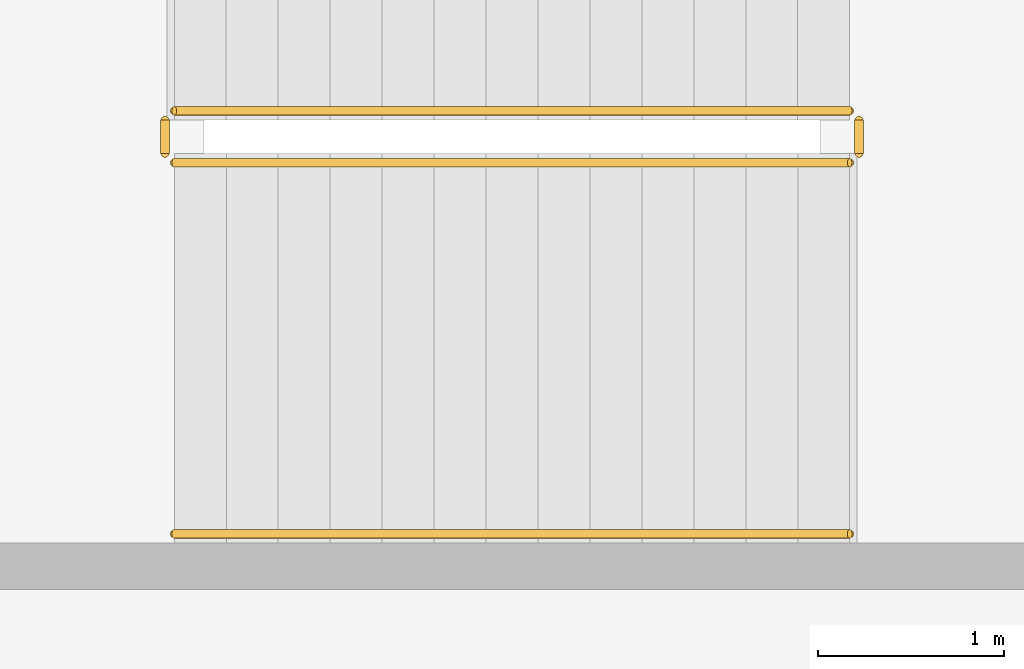
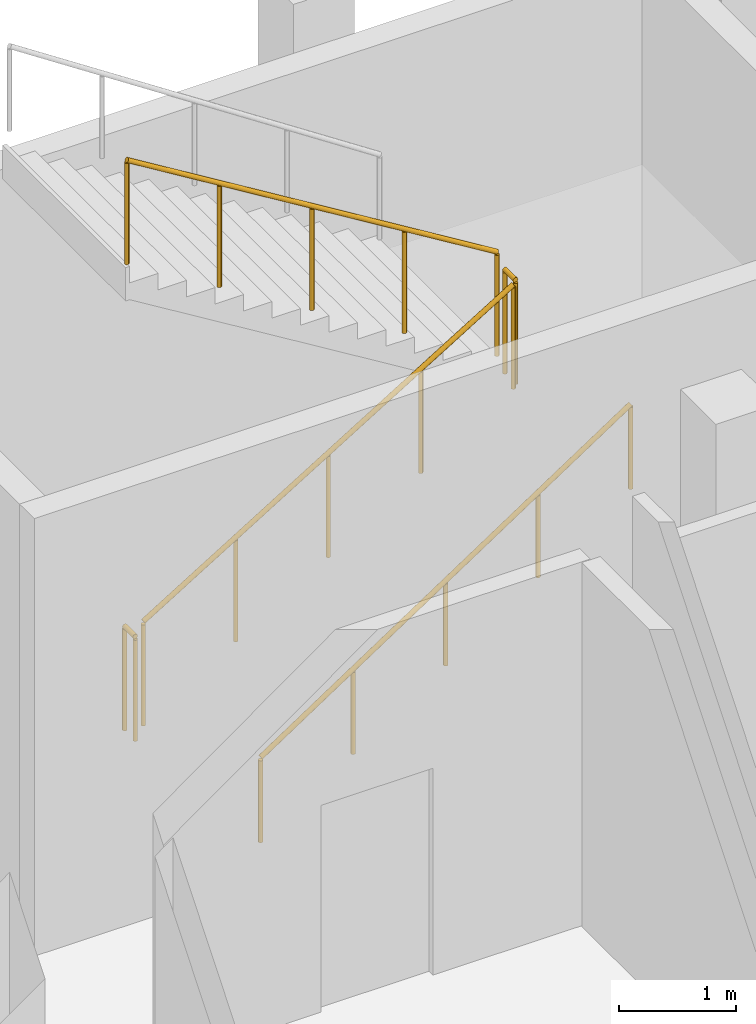
# One storey, part 19 of 23: 5 railings.
"""IFC4 building model written with IfcOpenShell, lengths in metres."""

from ifc_helpers import new_model, si_unit, direction, frame, origin, origin_2d, place, context, subcontext, project, spatial, circle, extrude, material, type_object, element, save


model = new_model("IFC4")

# Units and contexts
model_context = context("Model", 3, precision=1e-05, world=origin(), true_north=direction((0.0, 1.0)))
body_context = subcontext(model_context, "Body", "Model", "MODEL_VIEW")
ifc_project = project(units=[si_unit("LENGTHUNIT", "METRE"), si_unit("AREAUNIT", "SQUARE_METRE"), si_unit("VOLUMEUNIT", "CUBIC_METRE"), si_unit("PLANEANGLEUNIT", "RADIAN"), si_unit("MASSUNIT", "GRAM", prefix="KILO")], contexts=[model_context])

# Site, building, storey
site_placement = place(None, origin())
site = spatial("IfcSite", under=ifc_project, at=site_placement, CompositionType="ELEMENT")
building_placement = place(site_placement, origin())
building = spatial("IfcBuilding", under=site, at=building_placement, Name="Cendralis Lancet Convention Centre", CompositionType="ELEMENT")
storey_placement = place(building_placement, frame((0.0, 0.0, 19.800048828125)))
storey = spatial("IfcBuildingStorey", under=building, at=storey_placement, Name="L04", CompositionType="ELEMENT", Elevation=19.800048828125)

# Railings
ifc_material = material(Name="Steel S355", Category="steel")
railing_type_1 = type_object("IfcRailingType", Name="ARC-RL-CGD", PredefinedType="GUARDRAIL", material=ifc_material)
railing_1_placement = place(storey_placement, frame((171.75, 32.800048828125, 0.17138671875)))
element("IfcRailing", 1, at=railing_1_placement, inside=storey, type_object=railing_type_1, Name="L04 ST-14 stair guard 1", PredefinedType="GUARDRAIL", context=body_context, shape_type="SweptSolid", body=[
    extrude(circle(Radius=0.02392578125, at=origin_2d()), frame((0.0, 0.0, 1.076171875), z_axis=(0.852850264322, 0.0, 0.5221555579), x_axis=(0.0, 1.0, 0.0)), (0.0, 0.0, 1.0), 4.267822265625),
    extrude(circle(Radius=0.02099609375, at=origin_2d()), origin(), (0.0, 0.0, 1.0), 1.052001953125),
    extrude(circle(Radius=0.02099609375, at=origin_2d()), frame((0.909912109375, 0.0, 0.55712890625)), (0.0, 0.0, 1.0), 1.052001953125),
    extrude(circle(Radius=0.02099609375, at=origin_2d()), frame((1.81982421875, 0.0, 1.1142578125)), (0.0, 0.0, 1.0), 1.052001953125),
    extrude(circle(Radius=0.02099609375, at=origin_2d()), frame((2.72998046875, 0.0, 1.67138671875)), (0.0, 0.0, 1.0), 1.052001953125),
    extrude(circle(Radius=0.02099609375, at=origin_2d()), frame((3.639892578125, 0.0, 2.228515625)), (0.0, 0.0, 1.0), 1.052001953125),
])
railing_2_placement = place(storey_placement, frame((175.43994140625, 32.85009765625, 2.39990234375)))
element("IfcRailing", 2, at=railing_2_placement, inside=storey, type_object=railing_type_1, Name="L04 ST-14 stair guard 2", PredefinedType="GUARDRAIL", context=body_context, shape_type="SweptSolid", body=[
    extrude(circle(Radius=0.02392578125, at=origin_2d()), frame((0.0, 0.0, 1.076171875), z_axis=(0.0, 1.0, 0.0), x_axis=(-1.0, 0.0, 0.0)), (0.0, 0.0, 1.0), 0.179931640625),
    extrude(circle(Radius=0.02099609375, at=origin_2d()), origin(), (0.0, 0.0, 1.0), 1.052001953125),
    extrude(circle(Radius=0.02099609375, at=origin_2d()), frame((0.0, 0.179931640625, 0.0)), (0.0, 0.0, 1.0), 1.052001953125),
])
railing_3_placement = place(storey_placement, frame((175.389892578125, 33.080078125, 2.5712890625)))
element("IfcRailing", 3, at=railing_3_placement, inside=storey, type_object=railing_type_1, Name="L04 ST-14 stair guard 3", PredefinedType="GUARDRAIL", context=body_context, shape_type="SweptSolid", body=[
    extrude(circle(Radius=0.02392578125, at=origin_2d()), frame((0.0, 0.0, 1.076171875), z_axis=(-0.852824790078, 0.0, 0.522197163366), x_axis=(0.0, -1.0, 0.0)), (0.0, 0.0, 1.0), 4.26806640625),
    extrude(circle(Radius=0.02099609375, at=origin_2d()), origin(), (0.0, 0.0, 1.0), 1.052001953125),
    extrude(circle(Radius=0.02099609375, at=origin_2d()), frame((-0.909912109375, 0.0, 0.55712890625)), (0.0, 0.0, 1.0), 1.052001953125),
    extrude(circle(Radius=0.02099609375, at=origin_2d()), frame((-1.81982421875, 0.0, 1.1142578125)), (0.0, 0.0, 1.0), 1.052001953125),
    extrude(circle(Radius=0.02099609375, at=origin_2d()), frame((-2.72998046875, 0.0, 1.671630859375)), (0.0, 0.0, 1.0), 1.052001953125),
    extrude(circle(Radius=0.02099609375, at=origin_2d()), frame((-3.639892578125, 0.0, 2.228759765625)), (0.0, 0.0, 1.0), 1.052001953125),
])
railing_4_placement = place(storey_placement, frame((171.699951171875, 32.85009765625, 0.0)))
element("IfcRailing", 4, at=railing_4_placement, inside=storey, type_object=railing_type_1, Name="L04 ST-14 stair guard 4", PredefinedType="GUARDRAIL", context=body_context, shape_type="SweptSolid", body=[
    extrude(circle(Radius=0.02392578125, at=origin_2d()), frame((0.0, 0.0, 1.076171875), z_axis=(0.0, 1.0, 0.0), x_axis=(-1.0, 0.0, 0.0)), (0.0, 0.0, 1.0), 0.179931640625),
    extrude(circle(Radius=0.02099609375, at=origin_2d()), origin(), (0.0, 0.0, 1.0), 1.052001953125),
    extrude(circle(Radius=0.02099609375, at=origin_2d()), frame((0.0, 0.179931640625, 0.0)), (0.0, 0.0, 1.0), 1.052001953125),
])
railing_type_2 = type_object("IfcRailingType", Name="ARC-RL-CHR", PredefinedType="HANDRAIL", material=ifc_material)
railing_5_placement = place(storey_placement, frame((171.75, 30.800048828125, 0.17138671875)))
element("IfcRailing", 5, at=railing_5_placement, inside=storey, type_object=railing_type_2, Name="L04 ST-14 stair handrail 1", PredefinedType="HANDRAIL", context=body_context, shape_type="SweptSolid", body=[
    extrude(circle(Radius=0.02392578125, at=origin_2d()), frame((0.0, 0.0, 0.8759765625), z_axis=(0.834865213223, 0.0, 0.550454426587), x_axis=(0.0, 1.0, 0.0)), (0.0, 0.0, 1.0), 4.35986328125),
    extrude(circle(Radius=0.02099609375, at=origin_2d()), origin(), (0.0, 0.0, 1.0), 0.851806640625),
    extrude(circle(Radius=0.02099609375, at=origin_2d()), frame((0.909912109375, 0.0, 0.60009765625)), (0.0, 0.0, 1.0), 0.851806640625),
    extrude(circle(Radius=0.02099609375, at=origin_2d()), frame((1.81982421875, 0.0, 1.199951171875)), (0.0, 0.0, 1.0), 0.851806640625),
    extrude(circle(Radius=0.02099609375, at=origin_2d()), frame((2.72998046875, 0.0, 1.7998046875)), (0.0, 0.0, 1.0), 0.851806640625),
    extrude(circle(Radius=0.02099609375, at=origin_2d()), frame((3.639892578125, 0.0, 2.39990234375)), (0.0, 0.0, 1.0), 0.851806640625),
])

save(model, "model.ifc")
